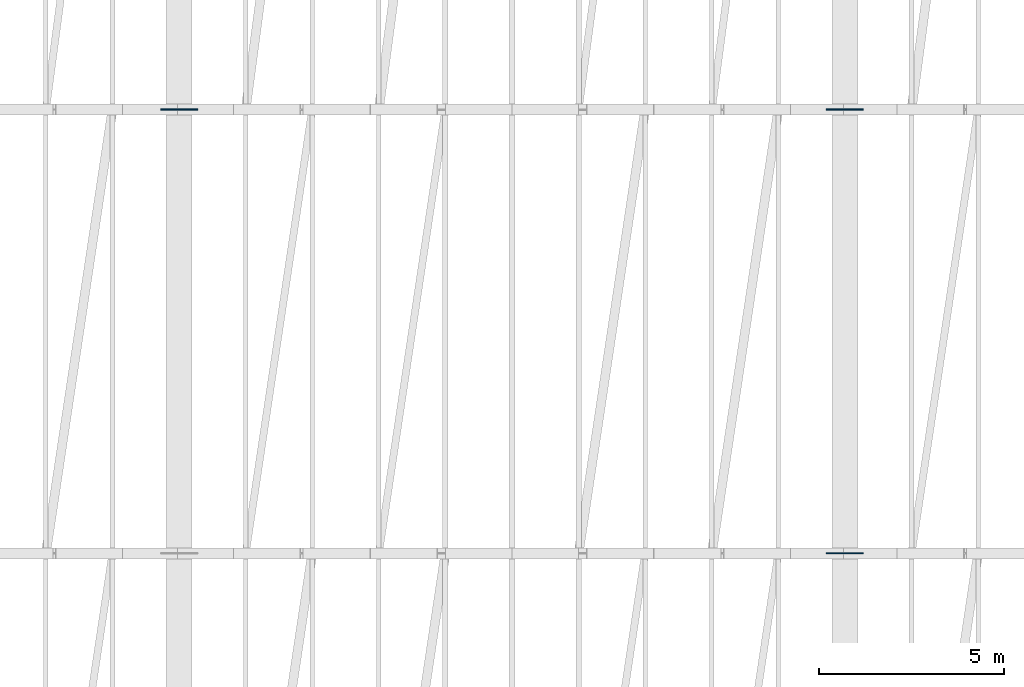
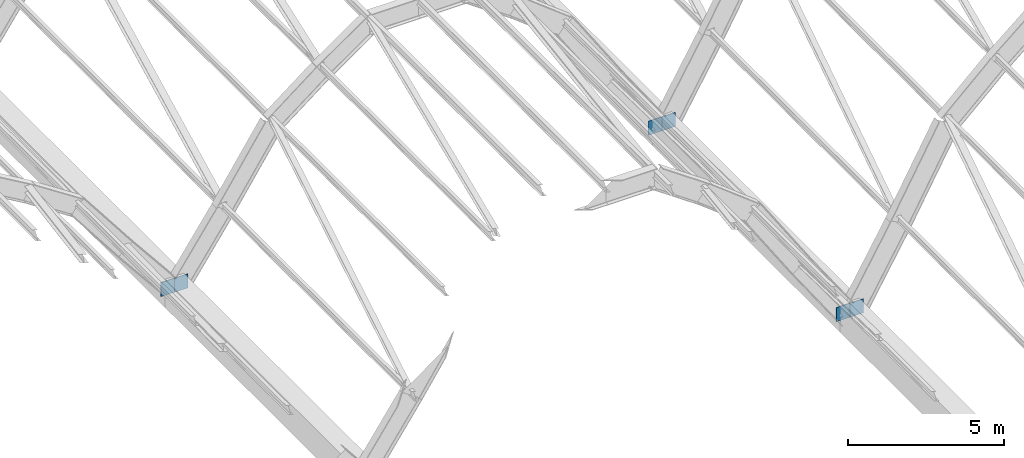
# One storey, part 64 of 86: 6 plates.
"""IFC4 building model written with IfcOpenShell, lengths in metres."""

from ifc_helpers import new_model, si_unit, direction, frame, origin, origin_2d, place, context, subcontext, project, spatial, rectangle, extrude, material, layer, layer_set, type_object, element, save


model = new_model("IFC4")

# Units and contexts
model_context = context("Model", 3, precision=1e-05, world=origin(), true_north=direction((0.0, 1.0)))
body_context = subcontext(model_context, "Body", "Model", "MODEL_VIEW")
ifc_project = project(units=[si_unit("LENGTHUNIT", "METRE"), si_unit("AREAUNIT", "SQUARE_METRE"), si_unit("VOLUMEUNIT", "CUBIC_METRE"), si_unit("PLANEANGLEUNIT", "RADIAN"), si_unit("MASSUNIT", "GRAM", prefix="KILO")], contexts=[model_context])

# Site, building, storey
site_placement = place(None, origin())
site = spatial("IfcSite", under=ifc_project, at=site_placement, CompositionType="ELEMENT")
building_placement = place(site_placement, origin())
building = spatial("IfcBuilding", under=site, at=building_placement, Name="Chuanluo Vaults Station", CompositionType="ELEMENT")
storey_placement = place(building_placement, frame((0.0, 0.0, 14.39990234375)))
storey = spatial("IfcBuildingStorey", under=building, at=storey_placement, Name="L03", CompositionType="ELEMENT", Elevation=14.39990234375)

# Plates
ifc_material = material(Name="Steel Q390C", Category="steel")
ifc_layer = layer(ifc_material, 0.028076171875)
ifc_layer_set = layer_set([ifc_layer], Name="Steel Q390C")
plate_type = type_object("IfcPlateType", Name="PLT-GUS-28", PredefinedType="USERDEFINED", material=ifc_layer_set)
for number, where, z_axis, x_axis, name in (
    (1, (35.75, 54.0, -0.875), (0.0, 0.0, 1.0), (1.0, 0.0, 0.0), "Vault V2 skewback node plate 4-E"),
    (2, (53.75, 42.0, -0.875), (0.0, 0.0, 1.0), (1.0, 0.0, 0.0), "Vault V3 skewback node plate 3-E"),
    (3, (36.25, 54.0, -0.875), (0.0, 0.0, 1.0), (1.0, 0.0, 0.0), "Vault V3 skewback node plate 4-W"),
    (4, (53.75, 54.0, -0.875), (0.0, 0.0, 1.0), (1.0, 0.0, 0.0), "Vault V3 skewback node plate 4-E"),
    (5, (54.25, 42.0, -0.875), (0.0, 0.0, 1.0), (1.0, 0.0, 0.0), "Vault V4 skewback node plate 3-W"),
    (6, (54.25, 54.0, -0.875), (0.0, 0.0, 1.0), (1.0, 0.0, 0.0), "Vault V4 skewback node plate 4-W"),
):
    element("IfcPlate", number, at=place(storey_placement, frame(where, z_axis=z_axis, x_axis=x_axis)), inside=storey, type_object=plate_type, Name=name, ObjectType="GUSSET_PLATE", PredefinedType="USERDEFINED", context=body_context, shape_type="SweptSolid", body=[
        extrude(rectangle(XDim=0.5, YDim=0.028076171875, at=origin_2d()), origin(), (0.0, 0.0, 1.0), 0.550048828125),
    ])

save(model, "model.ifc")
